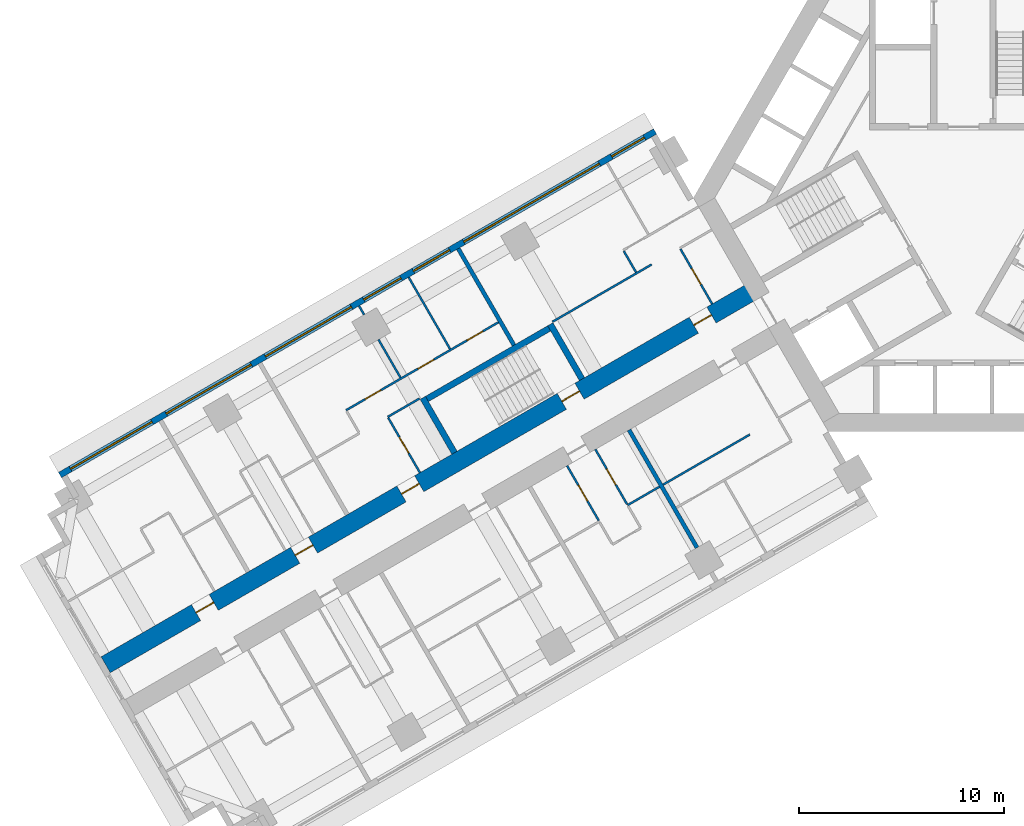
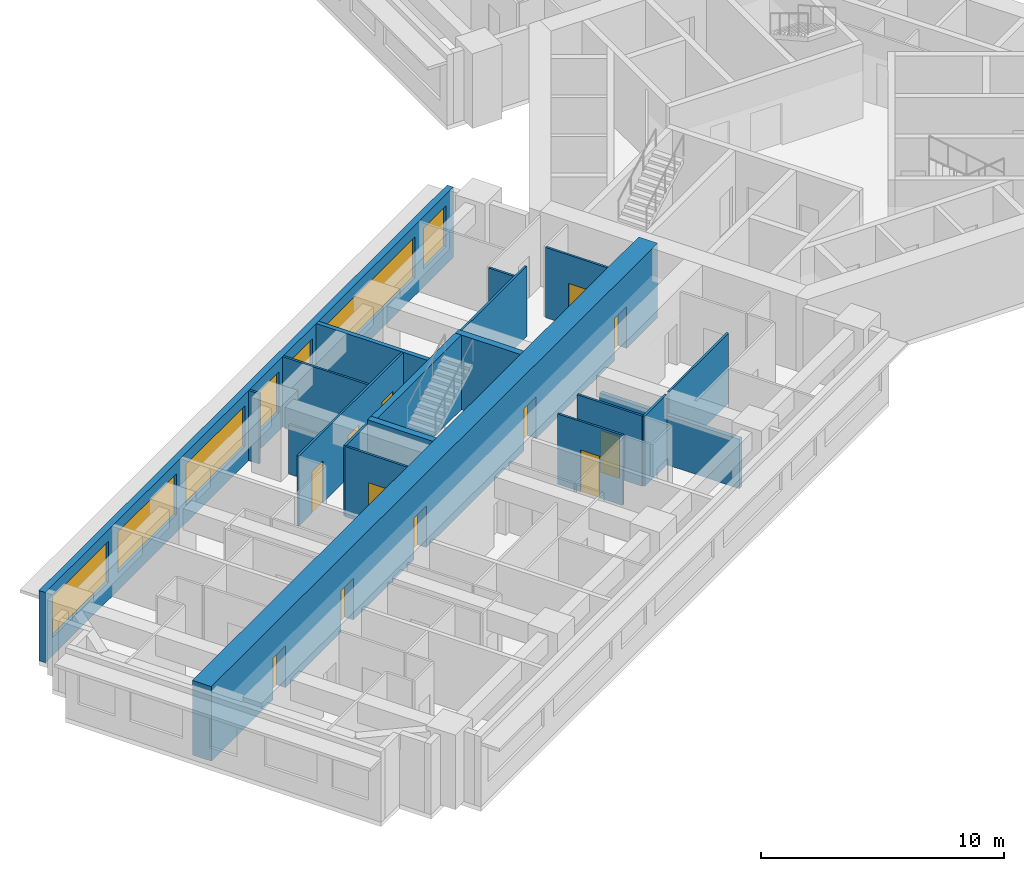
# One storey, part 5 of 16: 20 walls, 12 doors, 7 windows, 19 openings.
"""IFC4 building model written with IfcOpenShell, lengths in metres."""

import ifcopenshell
import ifcopenshell.guid

model = None  # the IFC model being written
_history = None  # IfcOwnerHistory: only IFC2X3 demands one
_inside = {}  # id of a spatial element -> (the spatial element, [elements in it])
_under = {}  # id of a project, library or spatial element -> (it, [spatial elements below it])
_declared = {}  # id of a project -> (the project, [libraries it declares])
_typed = {}  # id of a type object -> (the type object, [elements of that type])
_made_of = {}  # id of a material, layer set ... -> (it, [elements and type objects made of it])


def new_model(schema):
    """Start an empty IFC model of exactly this schema.

    Asked for "IFC4X3", IfcOpenShell would pick the latest addendum, in which some entities
    have other attributes; the version numbers below select the first issue.
    IFC2X3 requires an IfcOwnerHistory on every rooted entity: one is made here for all.
    """
    global model, _history
    if schema == "IFC4X3":
        model = ifcopenshell.file(schema_version=(4, 3, 0, 0))
    else:
        model = ifcopenshell.file(schema=schema)
    _inside.clear()
    _under.clear()
    _declared.clear()
    _typed.clear()
    _made_of.clear()
    _history = None
    if model.schema == "IFC2X3":
        org = make("IfcOrganization", Name="unknown")
        user = make(
            "IfcPersonAndOrganization",
            ThePerson=make("IfcPerson", FamilyName="unknown"),
            TheOrganization=org,
        )
        app = make(
            "IfcApplication",
            ApplicationDeveloper=org,
            Version="unknown",
            ApplicationFullName="unknown",
            ApplicationIdentifier="unknown",
        )
        _history = make(
            "IfcOwnerHistory",
            OwningUser=user,
            OwningApplication=app,
            ChangeAction="ADDED",
            CreationDate=0,
        )
    return model


def make(cls, **values):
    """One entity of the class cls with the attributes given. An attribute that is None is left unset."""
    return model.create_entity(
        cls, **{name: value for name, value in values.items() if value is not None}
    )


def rooted(cls, **values):
    """An entity with a GlobalId (a new one), such as an element, a storey or a relation."""
    return make(cls, GlobalId=ifcopenshell.guid.new(), OwnerHistory=_history, **values)


def si_unit(unit_type, name, prefix=None):
    """IfcSIUnit, for example si_unit("LENGTHUNIT", "METRE", prefix="MILLI")."""
    return make("IfcSIUnit", UnitType=unit_type, Prefix=prefix, Name=name)


def assignment(units):
    """IfcUnitAssignment: the units of a project."""
    return None if units is None else make("IfcUnitAssignment", Units=units)


def point(xyz):
    """IfcCartesianPoint."""
    return None if xyz is None else make("IfcCartesianPoint", Coordinates=xyz)


def direction(xyz):
    """IfcDirection."""
    return None if xyz is None else make("IfcDirection", DirectionRatios=xyz)


def frame(location, z_axis=None, x_axis=None):
    """IfcAxis2Placement3D, a coordinate frame: its origin and axes. An axis left out is left unset."""
    return make(
        "IfcAxis2Placement3D",
        Location=point(location),
        Axis=direction(z_axis),
        RefDirection=direction(x_axis),
    )


def frame_2d(location, x_axis=None):
    """IfcAxis2Placement2D, a coordinate frame in the plane: its origin and x axis."""
    return make(
        "IfcAxis2Placement2D", Location=point(location), RefDirection=direction(x_axis)
    )


def origin():
    """The frame at (0, 0, 0) with its axes left unset."""
    return frame((0.0, 0.0, 0.0))


def place(relative_to, where):
    """IfcLocalPlacement: puts the frame where relative to a parent placement (None: the world)."""
    return make(
        "IfcLocalPlacement", PlacementRelTo=relative_to, RelativePlacement=where
    )


def context(
    kind, dimensions, precision=None, world=None, true_north=None, identifier=None
):
    """IfcGeometricRepresentationContext, for example the 3D "Model" context."""
    return make(
        "IfcGeometricRepresentationContext",
        ContextIdentifier=identifier,
        ContextType=kind,
        CoordinateSpaceDimension=dimensions,
        Precision=precision,
        WorldCoordinateSystem=world,
        TrueNorth=true_north,
    )


def subcontext(parent, identifier, kind, view, scale=None):
    """IfcGeometricRepresentationSubContext, for example "Body" below "Model"."""
    return make(
        "IfcGeometricRepresentationSubContext",
        ContextIdentifier=identifier,
        ContextType=kind,
        ParentContext=parent,
        TargetScale=scale,
        TargetView=view,
    )


def project(units=None, contexts=None):
    """IfcProject with its units and contexts."""
    return rooted(
        "IfcProject",
        Name="project",
        RepresentationContexts=contexts,
        UnitsInContext=assignment(units),
    )


def spatial(cls, under=None, at=None, **own):
    """A site, building, storey or space (cls), placed at a placement, below another one or the project."""
    s = rooted(cls, ObjectPlacement=at, **own)
    if under is not None:
        _under.setdefault(under.id(), (under, []))[1].append(s)
    return s


def profile(cls, at=None, kind="AREA", **sizes):
    """A parametric profile (cls). Its sizes go by their IFC names, for example OverallWidth=200.0."""
    return make(cls, ProfileType=kind, Position=at, **sizes)


def rectangle(**sizes):
    """IfcRectangleProfileDef."""
    return profile("IfcRectangleProfileDef", **sizes)


def extrude(swept, where, along, depth):
    """IfcExtrudedAreaSolid: the profile swept, set in the frame where, extruded along a direction by depth."""
    return make(
        "IfcExtrudedAreaSolid",
        SweptArea=swept,
        Position=where,
        ExtrudedDirection=direction(along),
        Depth=depth,
    )


def shape(context_of_items, identifier, shape_type, items):
    """IfcShapeRepresentation: the items that make up one representation, for example the "Body"."""
    return make(
        "IfcShapeRepresentation",
        ContextOfItems=context_of_items,
        RepresentationIdentifier=identifier,
        RepresentationType=shape_type,
        Items=items,
    )


def material(Name=None, Category=None):
    """IfcMaterial."""
    return make("IfcMaterial", Name=Name, Category=Category)


def layer(
    of_material, thickness, ventilated=None, Name=None, Category=None, Priority=None
):
    """IfcMaterialLayer: one layer of a wall or slab, of a material (None: an air gap)."""
    return make(
        "IfcMaterialLayer",
        Material=of_material,
        LayerThickness=thickness,
        IsVentilated=ventilated,
        Name=Name,
        Category=Category,
        Priority=Priority,
    )


def layer_set(layers, Name=None):
    """IfcMaterialLayerSet."""
    return make("IfcMaterialLayerSet", MaterialLayers=layers, LayerSetName=Name)


def made_of(thing, what):
    """Note that an element or type object is made of a material, layer set ...; save() writes the relation."""
    if what is not None:
        _made_of.setdefault(what.id(), (what, []))[1].append(thing)
    return thing


def type_object(cls, material=None, **own):
    """A type object (cls), such as IfcWallType, which elements share."""
    return made_of(rooted(cls, **own), material)


def element(
    cls,
    number,
    at=None,
    inside=None,
    cuts=None,
    type_object=None,
    material=None,
    context=None,
    identifier="Body",
    shape_type=None,
    held_by="IfcProductDefinitionShape",
    body=None,
    shapes=None,
    **own,
):
    """One element of the class cls, such as IfcWall. Its Tag is "e" and its number.

    at: its placement. inside: the storey or other place that contains it. cuts: it is an
    opening in that element (IfcRelVoidsElement). A single representation is given by context,
    identifier, shape_type and body (its items); several are given by shapes. held_by: the class
    of the entity that holds the representations. save() writes the other relations.
    """
    e = rooted(cls, Tag="e%d" % number, ObjectPlacement=at, **own)
    if body is not None:
        shapes = [shape(context, identifier, shape_type, body)]
    if shapes is not None:
        e.Representation = make(held_by, Representations=shapes)
    if inside is not None:
        _inside.setdefault(inside.id(), (inside, []))[1].append(e)
    if cuts is not None:
        rooted(
            "IfcRelVoidsElement", RelatingBuildingElement=cuts, RelatedOpeningElement=e
        )
    if type_object is not None:
        _typed.setdefault(type_object.id(), (type_object, []))[1].append(e)
    return made_of(e, material)


def fill(opening, filler):
    """IfcRelFillsElement: the door or window that sits in an opening."""
    return rooted(
        "IfcRelFillsElement",
        RelatingOpeningElement=opening,
        RelatedBuildingElement=filler,
    )


def aggregate(whole, parts):
    """IfcRelAggregates: a whole, such as a stair, and the parts it consists of."""
    return rooted("IfcRelAggregates", RelatingObject=whole, RelatedObjects=parts)


def save(model, path):
    """Write the relations noted so far, then the file.

    IfcRelAggregates (storeys below a building ...), IfcRelContainedInSpatialStructure (elements
    in a storey), IfcRelDefinesByType, IfcRelAssociatesMaterial and IfcRelDeclares: one each for
    every whole, place, type object, material and project.
    """
    for whole, parts in _under.values():
        aggregate(whole, parts)
    for where, things in _inside.values():
        rooted(
            "IfcRelContainedInSpatialStructure",
            RelatedElements=things,
            RelatingStructure=where,
        )
    for kind, things in _typed.values():
        rooted("IfcRelDefinesByType", RelatedObjects=things, RelatingType=kind)
    for what, things in _made_of.values():
        rooted("IfcRelAssociatesMaterial", RelatedObjects=things, RelatingMaterial=what)
    for by, libraries in _declared.values():
        rooted("IfcRelDeclares", RelatingContext=by, RelatedDefinitions=libraries)
    model.write(path)


model = new_model("IFC4")

# Units and contexts
model_context = context("Model", 3, precision=1e-05, world=origin(), true_north=direction((0.0, 1.0)))
body_context = subcontext(model_context, "Body", "Model", "MODEL_VIEW")
ifc_project = project(units=[si_unit("LENGTHUNIT", "METRE"), si_unit("AREAUNIT", "SQUARE_METRE"), si_unit("VOLUMEUNIT", "CUBIC_METRE"), si_unit("PLANEANGLEUNIT", "RADIAN"), si_unit("MASSUNIT", "GRAM", prefix="KILO")], contexts=[model_context])

# Site, building, storey
site_placement = place(None, origin())
site = spatial("IfcSite", under=ifc_project, at=site_placement, CompositionType="ELEMENT")
building_placement = place(site_placement, origin())
building = spatial("IfcBuilding", under=site, at=building_placement, Name="Impinga Residences", CompositionType="ELEMENT")
storey_placement = place(building_placement, frame((0.0, 0.0, 56.0)))
storey = spatial("IfcBuildingStorey", under=building, at=storey_placement, Name="L13", CompositionType="ELEMENT", Elevation=56.0)

# Wall, openings, doors
ifc_material_1 = material(Name="Concrete C70/85", Category="concrete")
ifc_layer_1 = layer(ifc_material_1, 0.89990234375)
ifc_layer_set_1 = layer_set([ifc_layer_1], Name="Concrete C70/85")
wall_type_1 = type_object("IfcWallType", Name="BW1 corridor buttress wall, L05 to L22 900", PredefinedType="SHEAR", material=ifc_layer_set_1)
wall_1_placement = place(storey_placement, frame((-10.1103515625, -4.451416015625, 0.0), z_axis=(0.0, 0.0, 1.0), x_axis=(-0.866025284237, -0.500000207062, 0.0)))
wall_1 = element("IfcWall", 1, at=wall_1_placement, inside=storey, type_object=wall_type_1, Name="Corridor wall BW1 WD L13", PredefinedType="SHEAR", context=body_context, shape_type="SweptSolid", body=[
    extrude(rectangle(XDim=36.75, YDim=0.89990234375, at=frame_2d((18.375, 0.0))), origin(), (0.0, 0.0, 1.0), 3.75),
])
opening_1_placement = place(wall_1_placement, frame((10.0, 0.0, 0.0)))
opening_1 = element("IfcOpeningElement", 2, at=opening_1_placement, cuts=wall_1, Name="Opening D5", PredefinedType="OPENING", context=body_context, shape_type="SweptSolid", body=[
    extrude(rectangle(XDim=1.0, YDim=2.10009765625, at=frame_2d((0.5, 1.050048828125))), frame((0.0, 0.4599609375, 0.0), z_axis=(0.0, -1.0, 0.0), x_axis=(1.0, 0.0, 0.0)), (0.0, 0.0, 1.0), 0.919921875),
])
opening_2_placement = place(wall_1_placement, frame((2.550048828125, 0.0, 0.0)))
opening_2 = element("IfcOpeningElement", 3, at=opening_2_placement, cuts=wall_1, Name="Opening D1", PredefinedType="OPENING", context=body_context, shape_type="SweptSolid", body=[
    extrude(rectangle(XDim=1.0, YDim=2.10009765625, at=frame_2d((0.5, 1.050048828125))), frame((0.0, 0.4599609375, 0.0), z_axis=(0.0, -1.0, 0.0), x_axis=(1.0, 0.0, 0.0)), (0.0, 0.0, 1.0), 0.919921875),
])
opening_3_placement = place(wall_1_placement, frame((19.050048828125, 0.0, 0.0)))
opening_3 = element("IfcOpeningElement", 4, at=opening_3_placement, cuts=wall_1, Name="Opening D1", PredefinedType="OPENING", context=body_context, shape_type="SweptSolid", body=[
    extrude(rectangle(XDim=1.0, YDim=2.10009765625, at=frame_2d((0.5, 1.050048828125))), frame((0.0, 0.4599609375, 0.0), z_axis=(0.0, -1.0, 0.0), x_axis=(1.0, 0.0, 0.0)), (0.0, 0.0, 1.0), 0.919921875),
])
opening_4_placement = place(wall_1_placement, frame((25.050048828125, 0.0, 0.0)))
opening_4 = element("IfcOpeningElement", 5, at=opening_4_placement, cuts=wall_1, Name="Opening D1", PredefinedType="OPENING", context=body_context, shape_type="SweptSolid", body=[
    extrude(rectangle(XDim=1.0, YDim=2.10009765625, at=frame_2d((0.5, 1.050048828125))), frame((0.0, 0.4599609375, 0.0), z_axis=(0.0, -1.0, 0.0), x_axis=(1.0, 0.0, 0.0)), (0.0, 0.0, 1.0), 0.919921875),
])
opening_5_placement = place(wall_1_placement, frame((30.64990234375, 0.0, 0.0)))
opening_5 = element("IfcOpeningElement", 6, at=opening_5_placement, cuts=wall_1, Name="Opening D1", PredefinedType="OPENING", context=body_context, shape_type="SweptSolid", body=[
    extrude(rectangle(XDim=1.0, YDim=2.10009765625, at=frame_2d((0.5, 1.050048828125))), frame((0.0, 0.4599609375, 0.0), z_axis=(0.0, -1.0, 0.0), x_axis=(1.0, 0.0, 0.0)), (0.0, 0.0, 1.0), 0.919921875),
])
ifc_material_2 = material(Name="Timber door set", Category="wood")
door_type_1 = type_object("IfcDoorType", Name="D1 apartment entrance door 1000x2100", OperationType="SINGLE_SWING_LEFT", PredefinedType="DOOR", material=ifc_material_2)
door_1_placement = place(opening_2_placement, origin())
door_1 = element("IfcDoor", 7, at=door_1_placement, inside=storey, type_object=door_type_1, Name="Apartment L13-WF1 entrance", OperationType="SINGLE_SWING_LEFT", OverallHeight=2.10009765625, OverallWidth=1.0, PredefinedType="DOOR", context=body_context, shape_type="SweptSolid", body=[
    extrude(rectangle(XDim=1.0, YDim=2.10009765625, at=frame_2d((0.5, 1.050048828125))), frame((0.0, 0.02490234375, 0.0), z_axis=(0.0, -1.0, 0.0), x_axis=(1.0, 0.0, 0.0)), (0.0, 0.0, 1.0), 0.050048828125),
])
fill(opening_2, door_1)
door_2_placement = place(opening_3_placement, origin())
door_2 = element("IfcDoor", 8, at=door_2_placement, inside=storey, type_object=door_type_1, Name="Apartment L13-WF2 entrance", OperationType="SINGLE_SWING_RIGHT", OverallHeight=2.10009765625, OverallWidth=1.0, PredefinedType="DOOR", context=body_context, shape_type="SweptSolid", body=[
    extrude(rectangle(XDim=1.0, YDim=2.10009765625, at=frame_2d((0.5, 1.050048828125))), frame((0.0, 0.02490234375, 0.0), z_axis=(0.0, -1.0, 0.0), x_axis=(1.0, 0.0, 0.0)), (0.0, 0.0, 1.0), 0.050048828125),
])
fill(opening_3, door_2)
door_3_placement = place(opening_4_placement, origin())
door_3 = element("IfcDoor", 9, at=door_3_placement, inside=storey, type_object=door_type_1, Name="Apartment L13-WF3 entrance", OperationType="SINGLE_SWING_RIGHT", OverallHeight=2.10009765625, OverallWidth=1.0, PredefinedType="DOOR", context=body_context, shape_type="SweptSolid", body=[
    extrude(rectangle(XDim=1.0, YDim=2.10009765625, at=frame_2d((0.5, 1.050048828125))), frame((0.0, 0.02490234375, 0.0), z_axis=(0.0, -1.0, 0.0), x_axis=(1.0, 0.0, 0.0)), (0.0, 0.0, 1.0), 0.050048828125),
])
fill(opening_4, door_3)
door_4_placement = place(opening_5_placement, origin())
door_4 = element("IfcDoor", 10, at=door_4_placement, inside=storey, type_object=door_type_1, Name="Apartment L13-WF4 entrance", OperationType="SINGLE_SWING_RIGHT", OverallHeight=2.10009765625, OverallWidth=1.0, PredefinedType="DOOR", context=body_context, shape_type="SweptSolid", body=[
    extrude(rectangle(XDim=1.0, YDim=2.10009765625, at=frame_2d((0.5, 1.050048828125))), frame((0.0, 0.02490234375, 0.0), z_axis=(0.0, -1.0, 0.0), x_axis=(1.0, 0.0, 0.0)), (0.0, 0.0, 1.0), 0.050048828125),
])
fill(opening_5, door_4)
door_type_2 = type_object("IfcDoorType", Name="D5 stair door 1000x2100", OperationType="SINGLE_SWING_LEFT", PredefinedType="DOOR", material=ifc_material_2)
door_5_placement = place(opening_1_placement, origin())
door_5 = element("IfcDoor", 11, at=door_5_placement, inside=storey, type_object=door_type_2, Name="Wing stair door W", OperationType="SINGLE_SWING_LEFT", OverallHeight=2.10009765625, OverallWidth=1.0, PredefinedType="DOOR", context=body_context, shape_type="SweptSolid", body=[
    extrude(rectangle(XDim=1.0, YDim=2.10009765625, at=frame_2d((0.5, 1.050048828125))), frame((0.0, 0.02490234375, 0.0), z_axis=(0.0, -1.0, 0.0), x_axis=(1.0, 0.0, 0.0)), (0.0, 0.0, 1.0), 0.050048828125),
])
fill(opening_1, door_5)

# Wall, openings, windows
ifc_material_3 = material(Name="Terracotta rainscreen on blockwork", Category="masonry")
ifc_layer_2 = layer(ifc_material_3, 0.300048828125)
ifc_layer_set_2 = layer_set([ifc_layer_2], Name="EW1 external wall, terracotta rainscreen on blockwork 300")
wall_type_2 = type_object("IfcWallType", Name="EW1 external wall, terracotta rainscreen on blockwork 300", PredefinedType="SOLIDWALL", material=ifc_layer_set_2)
wall_2_placement = place(storey_placement, frame((-44.17333984375, -13.552490234375, 0.0), z_axis=(0.0, 0.0, 1.0), x_axis=(0.866024291668, 0.500001926238, 0.0)))
wall_2 = element("IfcWall", 12, at=wall_2_placement, inside=storey, type_object=wall_type_2, Name="External wall EW1 L13", PredefinedType="SOLIDWALL", context=body_context, shape_type="SweptSolid", body=[
    extrude(rectangle(XDim=33.599853515625, YDim=0.300048828125, at=frame_2d((16.7998046875, 0.0))), origin(), (0.0, 0.0, 1.0), 3.530029296875),
])
opening_6_placement = place(wall_2_placement, frame((0.60009765625, 0.0, 0.89990234375)))
opening_6 = element("IfcOpeningElement", 13, at=opening_6_placement, cuts=wall_2, Name="Opening W3", PredefinedType="OPENING", context=body_context, shape_type="SweptSolid", body=[
    extrude(rectangle(XDim=4.60009765625, YDim=2.050048828125, at=frame_2d((2.300048828125, 1.02490234375))), frame((0.0, 0.159912109375, 0.0), z_axis=(0.0, -1.0, 0.0), x_axis=(1.0, 0.0, 0.0)), (0.0, 0.0, 1.0), 0.320068359375),
])
opening_7_placement = place(wall_2_placement, frame((6.0, 0.0, 0.89990234375)))
opening_7 = element("IfcOpeningElement", 14, at=opening_7_placement, cuts=wall_2, Name="Opening W8", PredefinedType="OPENING", context=body_context, shape_type="SweptSolid", body=[
    extrude(rectangle(XDim=4.800048828125, YDim=2.050048828125, at=frame_2d((2.39990234375, 1.02490234375))), frame((0.0, 0.159912109375, 0.0), z_axis=(0.0, -1.0, 0.0), x_axis=(1.0, 0.0, 0.0)), (0.0, 0.0, 1.0), 0.320068359375),
])
opening_8_placement = place(wall_2_placement, frame((11.60009765625, 0.0, 0.89990234375)))
opening_8 = element("IfcOpeningElement", 15, at=opening_8_placement, cuts=wall_2, Name="Opening W6", PredefinedType="OPENING", context=body_context, shape_type="SweptSolid", body=[
    extrude(rectangle(XDim=4.85009765625, YDim=2.050048828125, at=frame_2d((2.425048828125, 1.02490234375))), frame((0.0, 0.159912109375, 0.0), z_axis=(0.0, -1.0, 0.0), x_axis=(1.0, 0.0, 0.0)), (0.0, 0.0, 1.0), 0.320068359375),
])
opening_9_placement = place(wall_2_placement, frame((17.14990234375, 0.0, 0.89990234375)))
opening_9 = element("IfcOpeningElement", 16, at=opening_9_placement, cuts=wall_2, Name="Opening W9", PredefinedType="OPENING", context=body_context, shape_type="SweptSolid", body=[
    extrude(rectangle(XDim=2.10009765625, YDim=2.050048828125, at=frame_2d((1.050048828125, 1.02490234375))), frame((0.0, 0.159912109375, 0.0), z_axis=(0.0, -1.0, 0.0), x_axis=(1.0, 0.0, 0.0)), (0.0, 0.0, 1.0), 0.320068359375),
])
opening_10_placement = place(wall_2_placement, frame((19.949951171875, 0.0, 0.89990234375)))
opening_10 = element("IfcOpeningElement", 17, at=opening_10_placement, cuts=wall_2, Name="Opening W14", PredefinedType="OPENING", context=body_context, shape_type="SweptSolid", body=[
    extrude(rectangle(XDim=2.050048828125, YDim=2.050048828125, at=frame_2d((1.02490234375, 1.02490234375))), frame((0.0, 0.159912109375, 0.0), z_axis=(0.0, -1.0, 0.0), x_axis=(1.0, 0.0, 0.0)), (0.0, 0.0, 1.0), 0.320068359375),
])
opening_11_placement = place(wall_2_placement, frame((22.800048828125, 0.0, 0.89990234375)))
opening_11 = element("IfcOpeningElement", 18, at=opening_11_placement, cuts=wall_2, Name="Opening W13", PredefinedType="OPENING", context=body_context, shape_type="SweptSolid", body=[
    extrude(rectangle(XDim=7.64990234375, YDim=2.050048828125, at=frame_2d((3.824951171875, 1.02490234375))), frame((0.0, 0.159912109375, 0.0), z_axis=(0.0, -1.0, 0.0), x_axis=(1.0, 0.0, 0.0)), (0.0, 0.0, 1.0), 0.320068359375),
])
opening_12_placement = place(wall_2_placement, frame((31.14990234375, 0.0, 0.89990234375)))
opening_12 = element("IfcOpeningElement", 19, at=opening_12_placement, cuts=wall_2, Name="Opening W15", PredefinedType="OPENING", context=body_context, shape_type="SweptSolid", body=[
    extrude(rectangle(XDim=1.85009765625, YDim=2.050048828125, at=frame_2d((0.925048828125, 1.02490234375))), frame((0.0, 0.159912109375, 0.0), z_axis=(0.0, -1.0, 0.0), x_axis=(1.0, 0.0, 0.0)), (0.0, 0.0, 1.0), 0.320068359375),
])
ifc_material_4 = material(Name="Aluminium window, clear double glazing", Category="aluminium")
window_type_1 = type_object("IfcWindowType", Name="W13 ribbon window 7650x2050", PartitioningType="SINGLE_PANEL", PredefinedType="WINDOW", material=ifc_material_4)
window_1_placement = place(opening_11_placement, origin())
window_1 = element("IfcWindow", 20, at=window_1_placement, inside=storey, type_object=window_type_1, Name="Window L13", OverallHeight=2.050048828125, OverallWidth=7.64990234375, PartitioningType="SINGLE_PANEL", PredefinedType="WINDOW", context=body_context, shape_type="SweptSolid", body=[
    extrude(rectangle(XDim=7.64990234375, YDim=2.050048828125, at=frame_2d((3.824951171875, 1.02490234375))), frame((0.0, 0.030029296875, 0.0), z_axis=(0.0, -1.0, 0.0), x_axis=(1.0, 0.0, 0.0)), (0.0, 0.0, 1.0), 0.06005859375),
])
fill(opening_11, window_1)
window_type_2 = type_object("IfcWindowType", Name="W14 ribbon window 2050x2050", PartitioningType="SINGLE_PANEL", PredefinedType="WINDOW", material=ifc_material_4)
window_2_placement = place(opening_10_placement, origin())
window_2 = element("IfcWindow", 21, at=window_2_placement, inside=storey, type_object=window_type_2, Name="Window L13", OverallHeight=2.050048828125, OverallWidth=2.050048828125, PartitioningType="SINGLE_PANEL", PredefinedType="WINDOW", context=body_context, shape_type="SweptSolid", body=[
    extrude(rectangle(XDim=2.050048828125, YDim=2.050048828125, at=frame_2d((1.02490234375, 1.02490234375))), frame((0.0, 0.030029296875, 0.0), z_axis=(0.0, -1.0, 0.0), x_axis=(1.0, 0.0, 0.0)), (0.0, 0.0, 1.0), 0.06005859375),
])
fill(opening_10, window_2)
window_type_3 = type_object("IfcWindowType", Name="W15 ribbon window 1850x2050", PartitioningType="SINGLE_PANEL", PredefinedType="WINDOW", material=ifc_material_4)
window_3_placement = place(opening_12_placement, origin())
window_3 = element("IfcWindow", 22, at=window_3_placement, inside=storey, type_object=window_type_3, Name="Window L13", OverallHeight=2.050048828125, OverallWidth=1.85009765625, PartitioningType="SINGLE_PANEL", PredefinedType="WINDOW", context=body_context, shape_type="SweptSolid", body=[
    extrude(rectangle(XDim=1.85009765625, YDim=2.050048828125, at=frame_2d((0.925048828125, 1.02490234375))), frame((0.0, 0.030029296875, 0.0), z_axis=(0.0, -1.0, 0.0), x_axis=(1.0, 0.0, 0.0)), (0.0, 0.0, 1.0), 0.06005859375),
])
fill(opening_12, window_3)
window_type_4 = type_object("IfcWindowType", Name="W3 ribbon window 4600x2050", PartitioningType="SINGLE_PANEL", PredefinedType="WINDOW", material=ifc_material_4)
window_4_placement = place(opening_6_placement, origin())
window_4 = element("IfcWindow", 23, at=window_4_placement, inside=storey, type_object=window_type_4, Name="Window L13", OverallHeight=2.050048828125, OverallWidth=4.60009765625, PartitioningType="SINGLE_PANEL", PredefinedType="WINDOW", context=body_context, shape_type="SweptSolid", body=[
    extrude(rectangle(XDim=4.60009765625, YDim=2.050048828125, at=frame_2d((2.300048828125, 1.02490234375))), frame((0.0, 0.030029296875, 0.0), z_axis=(0.0, -1.0, 0.0), x_axis=(1.0, 0.0, 0.0)), (0.0, 0.0, 1.0), 0.06005859375),
])
fill(opening_6, window_4)
window_type_5 = type_object("IfcWindowType", Name="W6 ribbon window 4850x2050", PartitioningType="SINGLE_PANEL", PredefinedType="WINDOW", material=ifc_material_4)
window_5_placement = place(opening_8_placement, origin())
window_5 = element("IfcWindow", 24, at=window_5_placement, inside=storey, type_object=window_type_5, Name="Window L13", OverallHeight=2.050048828125, OverallWidth=4.85009765625, PartitioningType="SINGLE_PANEL", PredefinedType="WINDOW", context=body_context, shape_type="SweptSolid", body=[
    extrude(rectangle(XDim=4.85009765625, YDim=2.050048828125, at=frame_2d((2.425048828125, 1.02490234375))), frame((0.0, 0.030029296875, 0.0), z_axis=(0.0, -1.0, 0.0), x_axis=(1.0, 0.0, 0.0)), (0.0, 0.0, 1.0), 0.06005859375),
])
fill(opening_8, window_5)
window_type_6 = type_object("IfcWindowType", Name="W8 ribbon window 4800x2050", PartitioningType="SINGLE_PANEL", PredefinedType="WINDOW", material=ifc_material_4)
window_6_placement = place(opening_7_placement, origin())
window_6 = element("IfcWindow", 25, at=window_6_placement, inside=storey, type_object=window_type_6, Name="Window L13", OverallHeight=2.050048828125, OverallWidth=4.800048828125, PartitioningType="SINGLE_PANEL", PredefinedType="WINDOW", context=body_context, shape_type="SweptSolid", body=[
    extrude(rectangle(XDim=4.800048828125, YDim=2.050048828125, at=frame_2d((2.39990234375, 1.02490234375))), frame((0.0, 0.030029296875, 0.0), z_axis=(0.0, -1.0, 0.0), x_axis=(1.0, 0.0, 0.0)), (0.0, 0.0, 1.0), 0.06005859375),
])
fill(opening_7, window_6)
window_type_7 = type_object("IfcWindowType", Name="W9 ribbon window 2100x2050", PartitioningType="SINGLE_PANEL", PredefinedType="WINDOW", material=ifc_material_4)
window_7_placement = place(opening_9_placement, origin())
window_7 = element("IfcWindow", 26, at=window_7_placement, inside=storey, type_object=window_type_7, Name="Window L13", OverallHeight=2.050048828125, OverallWidth=2.10009765625, PartitioningType="SINGLE_PANEL", PredefinedType="WINDOW", context=body_context, shape_type="SweptSolid", body=[
    extrude(rectangle(XDim=2.10009765625, YDim=2.050048828125, at=frame_2d((1.050048828125, 1.02490234375))), frame((0.0, 0.030029296875, 0.0), z_axis=(0.0, -1.0, 0.0), x_axis=(1.0, 0.0, 0.0)), (0.0, 0.0, 1.0), 0.06005859375),
])
fill(opening_9, window_7)

# Walls
ifc_material_5 = material(Name="Gypsum board on steel studs", Category="steel")
ifc_layer_3 = layer(ifc_material_5, 0.10009765625)
ifc_layer_set_3 = layer_set([ifc_layer_3], Name="Gypsum board on steel studs")
wall_type_3 = type_object("IfcWallType", Name="IP1 partition 100", PredefinedType="PARTITIONING", material=ifc_layer_set_3)
wall_3_placement = place(storey_placement, frame((-10.444580078125, -11.57275390625, 0.0), z_axis=(0.0, 0.0, 1.0), x_axis=(-0.866023786258, -0.500002801628, 0.0)))
element("IfcWall", 27, at=wall_3_placement, inside=storey, type_object=wall_type_3, Name="Partition L13-WA1:DIV1", PredefinedType="PARTITIONING", context=body_context, shape_type="SweptSolid", body=[
    extrude(rectangle(XDim=4.89990234375, YDim=0.10009765625, at=frame_2d((2.449951171875, 0.0))), origin(), (0.0, 0.0, 1.0), 3.530029296875),
])
wall_4_placement = place(storey_placement, frame((-14.861328125, -14.122802734375, 0.0), z_axis=(0.0, 0.0, 1.0), x_axis=(-0.866047807691, -0.499961193289, 0.0)))
element("IfcWall", 28, at=wall_4_placement, inside=storey, type_object=wall_type_3, Name="Partition L13-WA2:DIV0", PredefinedType="PARTITIONING", context=body_context, shape_type="SweptSolid", body=[
    extrude(rectangle(XDim=1.800048828125, YDim=0.10009765625, at=frame_2d((0.89990234375, 0.0))), origin(), (0.0, 0.0, 1.0), 3.530029296875),
])

# Wall, opening, door
wall_5_placement = place(storey_placement, frame((-17.9951171875, -12.294677734375, 0.0), z_axis=(0.0, 0.0, 1.0), x_axis=(0.49999285859, -0.86602952684, 0.0)))
wall_5 = element("IfcWall", 29, at=wall_5_placement, inside=storey, type_object=wall_type_3, Name="Partition L13-WA2:IB1", PredefinedType="PARTITIONING", context=body_context, shape_type="SweptSolid", body=[
    extrude(rectangle(XDim=3.10009765625, YDim=0.10009765625, at=frame_2d((1.550048828125, 0.0))), origin(), (0.0, 0.0, 1.0), 3.530029296875),
])
opening_13_placement = place(wall_5_placement, frame((1.10009765625, 0.0, 0.0)))
opening_13 = element("IfcOpeningElement", 30, at=opening_13_placement, cuts=wall_5, Name="Opening D2", PredefinedType="OPENING", context=body_context, shape_type="SweptSolid", body=[
    extrude(rectangle(XDim=0.89990234375, YDim=2.10009765625, at=frame_2d((0.449951171875, 1.050048828125))), frame((0.0, 0.06005859375, 0.0), z_axis=(0.0, -1.0, 0.0), x_axis=(1.0, 0.0, 0.0)), (0.0, 0.0, 1.0), 0.1201171875),
])
door_type_3 = type_object("IfcDoorType", Name="D2 internal door 900x2100", OperationType="SINGLE_SWING_LEFT", PredefinedType="DOOR", material=ifc_material_2)
door_6_placement = place(opening_13_placement, origin())
door_6 = element("IfcDoor", 31, at=door_6_placement, inside=storey, type_object=door_type_3, Name="Apartment L13-WA2 bathroom door", OperationType="SINGLE_SWING_LEFT", OverallHeight=2.10009765625, OverallWidth=0.89990234375, PredefinedType="DOOR", context=body_context, shape_type="SweptSolid", body=[
    extrude(rectangle(XDim=0.89990234375, YDim=2.10009765625, at=frame_2d((0.449951171875, 1.050048828125))), frame((0.0, 0.02490234375, 0.0), z_axis=(0.0, -1.0, 0.0), x_axis=(1.0, 0.0, 0.0)), (0.0, 0.0, 1.0), 0.050048828125),
])
fill(opening_13, door_6)

wall_6_placement = place(storey_placement, frame((-19.380615234375, -13.0947265625, 0.0), z_axis=(0.0, 0.0, 1.0), x_axis=(0.499967891604, -0.866043940782, 0.0)))
wall_6 = element("IfcWall", 32, at=wall_6_placement, inside=storey, type_object=wall_type_3, Name="Partition L13-WA2:IB2", PredefinedType="PARTITIONING", context=body_context, shape_type="SweptSolid", body=[
    extrude(rectangle(XDim=3.099853515625, YDim=0.10009765625, at=frame_2d((1.5498046875, 0.0))), origin(), (0.0, 0.0, 1.0), 3.530029296875),
])
opening_14_placement = place(wall_6_placement, frame((1.10009765625, 0.0, 0.0)))
opening_14 = element("IfcOpeningElement", 33, at=opening_14_placement, cuts=wall_6, Name="Opening D2", PredefinedType="OPENING", context=body_context, shape_type="SweptSolid", body=[
    extrude(rectangle(XDim=0.89990234375, YDim=2.10009765625, at=frame_2d((0.449951171875, 1.050048828125))), frame((0.0, 0.06005859375, 0.0), z_axis=(0.0, -1.0, 0.0), x_axis=(1.0, 0.0, 0.0)), (0.0, 0.0, 1.0), 0.1201171875),
])
door_7_placement = place(opening_14_placement, origin())
door_7 = element("IfcDoor", 34, at=door_7_placement, inside=storey, type_object=door_type_3, Name="Apartment L13-WA2 WC door", OperationType="SINGLE_SWING_LEFT", OverallHeight=2.10009765625, OverallWidth=0.89990234375, PredefinedType="DOOR", context=body_context, shape_type="SweptSolid", body=[
    extrude(rectangle(XDim=0.89990234375, YDim=2.10009765625, at=frame_2d((0.449951171875, 1.050048828125))), frame((0.0, 0.02490234375, 0.0), z_axis=(0.0, -1.0, 0.0), x_axis=(1.0, 0.0, 0.0)), (0.0, 0.0, 1.0), 0.050048828125),
])
fill(opening_14, door_7)

# Walls
wall_7_placement = place(storey_placement, frame((-15.244384765625, -3.2587890625, 0.0), z_axis=(0.0, 0.0, 1.0), x_axis=(-0.866026594901, -0.49999793692, 0.0)))
element("IfcWall", 35, at=wall_7_placement, inside=storey, type_object=wall_type_3, Name="Partition L13-WF1:DIV1", PredefinedType="PARTITIONING", context=body_context, shape_type="SweptSolid", body=[
    extrude(rectangle(XDim=5.60009765625, YDim=0.10009765625, at=frame_2d((2.800048828125, 0.0))), origin(), (0.0, 0.0, 1.0), 3.530029296875),
])
wall_8_placement = place(storey_placement, frame((-16.005615234375, -3.640625, 0.0), z_axis=(0.0, 0.0, 1.0), x_axis=(-0.500033551112, 0.866006032174, 0.0)))
element("IfcWall", 36, at=wall_8_placement, inside=storey, type_object=wall_type_3, Name="Partition L13-WF1:SE1", PredefinedType="PARTITIONING", context=body_context, shape_type="SweptSolid", body=[
    extrude(rectangle(XDim=1.2001953125, YDim=0.10009765625, at=frame_2d((0.60009765625, 0.0))), origin(), (0.0, 0.0, 1.0), 3.530029296875),
])

# Wall, opening, door
wall_9_placement = place(storey_placement, frame((-12.283935546875, -5.186767578125, 0.0), z_axis=(0.0, 0.0, 1.0), x_axis=(-0.499967891604, 0.866043940782, 0.0)))
wall_9 = element("IfcWall", 37, at=wall_9_placement, inside=storey, type_object=wall_type_3, Name="Partition L13-WF1:IB1", PredefinedType="PARTITIONING", context=body_context, shape_type="SweptSolid", body=[
    extrude(rectangle(XDim=3.099853515625, YDim=0.10009765625, at=frame_2d((1.5498046875, 0.0))), origin(), (0.0, 0.0, 1.0), 3.530029296875),
])
opening_15_placement = place(wall_9_placement, frame((1.10009765625, 0.0, 0.0)))
opening_15 = element("IfcOpeningElement", 38, at=opening_15_placement, cuts=wall_9, Name="Opening D2", PredefinedType="OPENING", context=body_context, shape_type="SweptSolid", body=[
    extrude(rectangle(XDim=0.89990234375, YDim=2.10009765625, at=frame_2d((0.449951171875, 1.050048828125))), frame((0.0, 0.06005859375, 0.0), z_axis=(0.0, -1.0, 0.0), x_axis=(1.0, 0.0, 0.0)), (0.0, 0.0, 1.0), 0.1201171875),
])
door_8_placement = place(opening_15_placement, origin())
door_8 = element("IfcDoor", 39, at=door_8_placement, inside=storey, type_object=door_type_3, Name="Apartment L13-WF1 bathroom door", OperationType="SINGLE_SWING_LEFT", OverallHeight=2.10009765625, OverallWidth=0.89990234375, PredefinedType="DOOR", context=body_context, shape_type="SweptSolid", body=[
    extrude(rectangle(XDim=0.89990234375, YDim=2.10009765625, at=frame_2d((0.449951171875, 1.050048828125))), frame((0.0, 0.02490234375, 0.0), z_axis=(0.0, -1.0, 0.0), x_axis=(1.0, 0.0, 0.0)), (0.0, 0.0, 1.0), 0.050048828125),
])
fill(opening_15, door_8)

# Wall
wall_10_placement = place(storey_placement, frame((-26.58935546875, -9.808837890625, 0.0), z_axis=(0.0, 0.0, 1.0), x_axis=(-0.866047807691, -0.499961193289, 0.0)))
element("IfcWall", 40, at=wall_10_placement, inside=storey, type_object=wall_type_3, Name="Partition L13-WF2:DIV0", PredefinedType="PARTITIONING", context=body_context, shape_type="SweptSolid", body=[
    extrude(rectangle(XDim=1.800048828125, YDim=0.10009765625, at=frame_2d((0.89990234375, 0.0))), origin(), (0.0, 0.0, 1.0), 3.530029296875),
])

# Wall, openings, doors
wall_11_placement = place(storey_placement, frame((-22.736083984375, -6.0830078125, 0.0), z_axis=(0.0, 0.0, 1.0), x_axis=(-0.866021068297, -0.500007509209, 0.0)))
wall_11 = element("IfcWall", 41, at=wall_11_placement, inside=storey, type_object=wall_type_3, Name="Partition L13-WF2:STRIP", PredefinedType="PARTITIONING", context=body_context, shape_type="SweptSolid", body=[
    extrude(rectangle(XDim=8.599853515625, YDim=0.10009765625, at=frame_2d((4.2998046875, 0.0))), origin(), (0.0, 0.0, 1.0), 3.530029296875),
])
opening_16_placement = place(wall_11_placement, frame((0.875, 0.0, 0.0)))
opening_16 = element("IfcOpeningElement", 42, at=opening_16_placement, cuts=wall_11, Name="Opening D2", PredefinedType="OPENING", context=body_context, shape_type="SweptSolid", body=[
    extrude(rectangle(XDim=0.89990234375, YDim=2.10009765625, at=frame_2d((0.449951171875, 1.050048828125))), frame((0.0, 0.06005859375, 0.0), z_axis=(0.0, -1.0, 0.0), x_axis=(1.0, 0.0, 0.0)), (0.0, 0.0, 1.0), 0.1201171875),
])
opening_17_placement = place(wall_11_placement, frame((3.64990234375, 0.0, 0.0)))
opening_17 = element("IfcOpeningElement", 43, at=opening_17_placement, cuts=wall_11, Name="Opening D2", PredefinedType="OPENING", context=body_context, shape_type="SweptSolid", body=[
    extrude(rectangle(XDim=0.89990234375, YDim=2.10009765625, at=frame_2d((0.449951171875, 1.050048828125))), frame((0.0, 0.06005859375, 0.0), z_axis=(0.0, -1.0, 0.0), x_axis=(1.0, 0.0, 0.0)), (0.0, 0.0, 1.0), 0.1201171875),
])
opening_18_placement = place(wall_11_placement, frame((6.625, 0.0, 0.0)))
opening_18 = element("IfcOpeningElement", 44, at=opening_18_placement, cuts=wall_11, Name="Opening D2", PredefinedType="OPENING", context=body_context, shape_type="SweptSolid", body=[
    extrude(rectangle(XDim=0.89990234375, YDim=2.10009765625, at=frame_2d((0.449951171875, 1.050048828125))), frame((0.0, 0.06005859375, 0.0), z_axis=(0.0, -1.0, 0.0), x_axis=(1.0, 0.0, 0.0)), (0.0, 0.0, 1.0), 0.1201171875),
])
door_9_placement = place(opening_16_placement, origin())
door_9 = element("IfcDoor", 45, at=door_9_placement, inside=storey, type_object=door_type_3, Name="Apartment L13-WF2 room door", OperationType="SINGLE_SWING_LEFT", OverallHeight=2.10009765625, OverallWidth=0.89990234375, PredefinedType="DOOR", context=body_context, shape_type="SweptSolid", body=[
    extrude(rectangle(XDim=0.89990234375, YDim=2.10009765625, at=frame_2d((0.449951171875, 1.050048828125))), frame((0.0, 0.02490234375, 0.0), z_axis=(0.0, -1.0, 0.0), x_axis=(1.0, 0.0, 0.0)), (0.0, 0.0, 1.0), 0.050048828125),
])
fill(opening_16, door_9)
door_10_placement = place(opening_17_placement, origin())
door_10 = element("IfcDoor", 46, at=door_10_placement, inside=storey, type_object=door_type_3, Name="Apartment L13-WF2 room door", OperationType="SINGLE_SWING_LEFT", OverallHeight=2.10009765625, OverallWidth=0.89990234375, PredefinedType="DOOR", context=body_context, shape_type="SweptSolid", body=[
    extrude(rectangle(XDim=0.89990234375, YDim=2.10009765625, at=frame_2d((0.449951171875, 1.050048828125))), frame((0.0, 0.02490234375, 0.0), z_axis=(0.0, -1.0, 0.0), x_axis=(1.0, 0.0, 0.0)), (0.0, 0.0, 1.0), 0.050048828125),
])
fill(opening_17, door_10)
door_11_placement = place(opening_18_placement, origin())
door_11 = element("IfcDoor", 47, at=door_11_placement, inside=storey, type_object=door_type_3, Name="Apartment L13-WF2 room door", OperationType="SINGLE_SWING_RIGHT", OverallHeight=2.10009765625, OverallWidth=0.89990234375, PredefinedType="DOOR", context=body_context, shape_type="SweptSolid", body=[
    extrude(rectangle(XDim=0.89990234375, YDim=2.10009765625, at=frame_2d((0.449951171875, 1.050048828125))), frame((0.0, 0.02490234375, 0.0), z_axis=(0.0, -1.0, 0.0), x_axis=(1.0, 0.0, 0.0)), (0.0, 0.0, 1.0), 0.050048828125),
])
fill(opening_18, door_11)

# Wall, opening, door
wall_12_placement = place(storey_placement, frame((-26.5732421875, -13.436767578125, 0.0), z_axis=(0.0, 0.0, 1.0), x_axis=(-0.500026960575, 0.86600983753, 0.0)))
wall_12 = element("IfcWall", 48, at=wall_12_placement, inside=storey, type_object=wall_type_3, Name="Partition L13-WF2:IB1", PredefinedType="PARTITIONING", context=body_context, shape_type="SweptSolid", body=[
    extrude(rectangle(XDim=3.099853515625, YDim=0.10009765625, at=frame_2d((1.5498046875, 0.0))), origin(), (0.0, 0.0, 1.0), 3.530029296875),
])
opening_19_placement = place(wall_12_placement, frame((1.10009765625, 0.0, 0.0)))
opening_19 = element("IfcOpeningElement", 49, at=opening_19_placement, cuts=wall_12, Name="Opening D2", PredefinedType="OPENING", context=body_context, shape_type="SweptSolid", body=[
    extrude(rectangle(XDim=0.89990234375, YDim=2.10009765625, at=frame_2d((0.449951171875, 1.050048828125))), frame((0.0, 0.06005859375, 0.0), z_axis=(0.0, -1.0, 0.0), x_axis=(1.0, 0.0, 0.0)), (0.0, 0.0, 1.0), 0.1201171875),
])
door_12_placement = place(opening_19_placement, origin())
door_12 = element("IfcDoor", 50, at=door_12_placement, inside=storey, type_object=door_type_3, Name="Apartment L13-WF2 bathroom door", OperationType="SINGLE_SWING_LEFT", OverallHeight=2.10009765625, OverallWidth=0.89990234375, PredefinedType="DOOR", context=body_context, shape_type="SweptSolid", body=[
    extrude(rectangle(XDim=0.89990234375, YDim=2.10009765625, at=frame_2d((0.449951171875, 1.050048828125))), frame((0.0, 0.02490234375, 0.0), z_axis=(0.0, -1.0, 0.0), x_axis=(1.0, 0.0, 0.0)), (0.0, 0.0, 1.0), 0.050048828125),
])
fill(opening_19, door_12)

# Walls
wall_13_placement = place(storey_placement, frame((-25.099365234375, -7.3896484375, 0.0), z_axis=(0.0, 0.0, 1.0), x_axis=(-0.499990325971, 0.866030989016, 0.0)))
element("IfcWall", 51, at=wall_13_placement, inside=storey, type_object=wall_type_3, Name="Partition L13-WF2:OB1", PredefinedType="PARTITIONING", context=body_context, shape_type="SweptSolid", body=[
    extrude(rectangle(XDim=4.0498046875, YDim=0.10009765625, at=frame_2d((2.02490234375, 0.0))), origin(), (0.0, 0.0, 1.0), 3.530029296875),
])
wall_14_placement = place(storey_placement, frame((-27.524169921875, -8.789794921875, 0.0), z_axis=(0.0, 0.0, 1.0), x_axis=(-0.499961633463, 0.866047553582, 0.0)))
element("IfcWall", 52, at=wall_14_placement, inside=storey, type_object=wall_type_3, Name="Partition L13-WF2:OB2", PredefinedType="PARTITIONING", context=body_context, shape_type="SweptSolid", body=[
    extrude(rectangle(XDim=2.150146484375, YDim=0.10009765625, at=frame_2d((1.0751953125, 0.0))), origin(), (0.0, 0.0, 1.0), 2.47998046875),
])
wall_15_placement = place(storey_placement, frame((-29.29931640625, -5.71533203125, 0.0), z_axis=(0.0, 0.0, 1.0), x_axis=(-0.499919672301, 0.866071776036, 0.0)))
element("IfcWall", 53, at=wall_15_placement, inside=storey, type_object=wall_type_3, Name="Partition L13-WF2:OB2b", PredefinedType="PARTITIONING", context=body_context, shape_type="SweptSolid", body=[
    extrude(rectangle(XDim=0.5, YDim=0.10009765625, at=frame_2d((0.25, 0.0))), origin(), (0.0, 0.0, 1.0), 3.530029296875),
])
ifc_material_6 = material(Name="Concrete blockwork", Category="masonry")
ifc_layer_4 = layer(ifc_material_6, 0.199951171875)
ifc_layer_set_4 = layer_set([ifc_layer_4], Name="PW1 party wall between apartments 200")
wall_type_4 = type_object("IfcWallType", Name="PW1 party wall between apartments 200", PredefinedType="SOLIDWALL", material=ifc_layer_set_4)
wall_16_placement = place(storey_placement, frame((-16.349609375, -11.3447265625, 0.0), z_axis=(0.0, 0.0, 1.0), x_axis=(0.49999681972, -0.866027239912, 0.0)))
element("IfcWall", 54, at=wall_16_placement, inside=storey, type_object=wall_type_4, Name="Party wall between apartments L13-WA1:PARTY", PredefinedType="SOLIDWALL", context=body_context, shape_type="SweptSolid", body=[
    extrude(rectangle(XDim=6.64990234375, YDim=0.199951171875, at=frame_2d((3.324951171875, 0.0))), origin(), (0.0, 0.0, 1.0), 2.47998046875),
])
wall_17_placement = place(storey_placement, frame((-21.974365234375, -7.2021484375, 0.0), z_axis=(0.0, 0.0, 1.0), x_axis=(-0.500022328685, 0.866012511928, 0.0)))
element("IfcWall", 55, at=wall_17_placement, inside=storey, type_object=wall_type_4, Name="Party wall between apartments L13-WF1:PARTY", PredefinedType="SOLIDWALL", context=body_context, shape_type="SweptSolid", body=[
    extrude(rectangle(XDim=5.449951171875, YDim=0.199951171875, at=frame_2d((2.72509765625, 0.0))), origin(), (0.0, 0.0, 1.0), 3.530029296875),
])
ifc_material_7 = material(Name="Concrete C60/75", Category="concrete")
ifc_layer_5 = layer(ifc_material_7, 0.300048828125)
ifc_layer_set_5 = layer_set([ifc_layer_5], Name="Concrete C60/75")
wall_type_5 = type_object("IfcWallType", Name="SE1 wing stair enclosure wall 300", PredefinedType="SOLIDWALL", material=ifc_layer_set_5)
wall_18_placement = place(storey_placement, frame((-18.649169921875, -8.86181640625, 0.0), z_axis=(0.0, 0.0, 1.0), x_axis=(-0.500026960575, 0.86600983753, 0.0)))
element("IfcWall", 56, at=wall_18_placement, inside=storey, type_object=wall_type_5, Name="Stair enclosure wall SE1 W END0 L13", PredefinedType="SOLIDWALL", context=body_context, shape_type="SweptSolid", body=[
    extrude(rectangle(XDim=3.099853515625, YDim=0.300048828125, at=frame_2d((1.5498046875, 0.0))), origin(), (0.0, 0.0, 1.0), 3.75),
])
wall_19_placement = place(storey_placement, frame((-24.884521484375, -12.4619140625, 0.0), z_axis=(0.0, 0.0, 1.0), x_axis=(-0.49999285859, 0.86602952684, 0.0)))
element("IfcWall", 57, at=wall_19_placement, inside=storey, type_object=wall_type_5, Name="Stair enclosure wall SE1 W END1 L13", PredefinedType="SOLIDWALL", context=body_context, shape_type="SweptSolid", body=[
    extrude(rectangle(XDim=3.10009765625, YDim=0.300048828125, at=frame_2d((1.550048828125, 0.0))), origin(), (0.0, 0.0, 1.0), 3.75),
])
wall_20_placement = place(storey_placement, frame((-20.254150390625, -6.382080078125, 0.0), z_axis=(0.0, 0.0, 1.0), x_axis=(-0.866020008033, -0.500009345598, 0.0)))
element("IfcWall", 58, at=wall_20_placement, inside=storey, type_object=wall_type_5, Name="Stair enclosure wall SE1 W OUT L13", PredefinedType="SOLIDWALL", context=body_context, shape_type="SweptSolid", body=[
    extrude(rectangle(XDim=6.899658203125, YDim=0.300048828125, at=frame_2d((3.44970703125, 0.0))), origin(), (0.0, 0.0, 1.0), 3.75),
])

save(model, "model.ifc")
